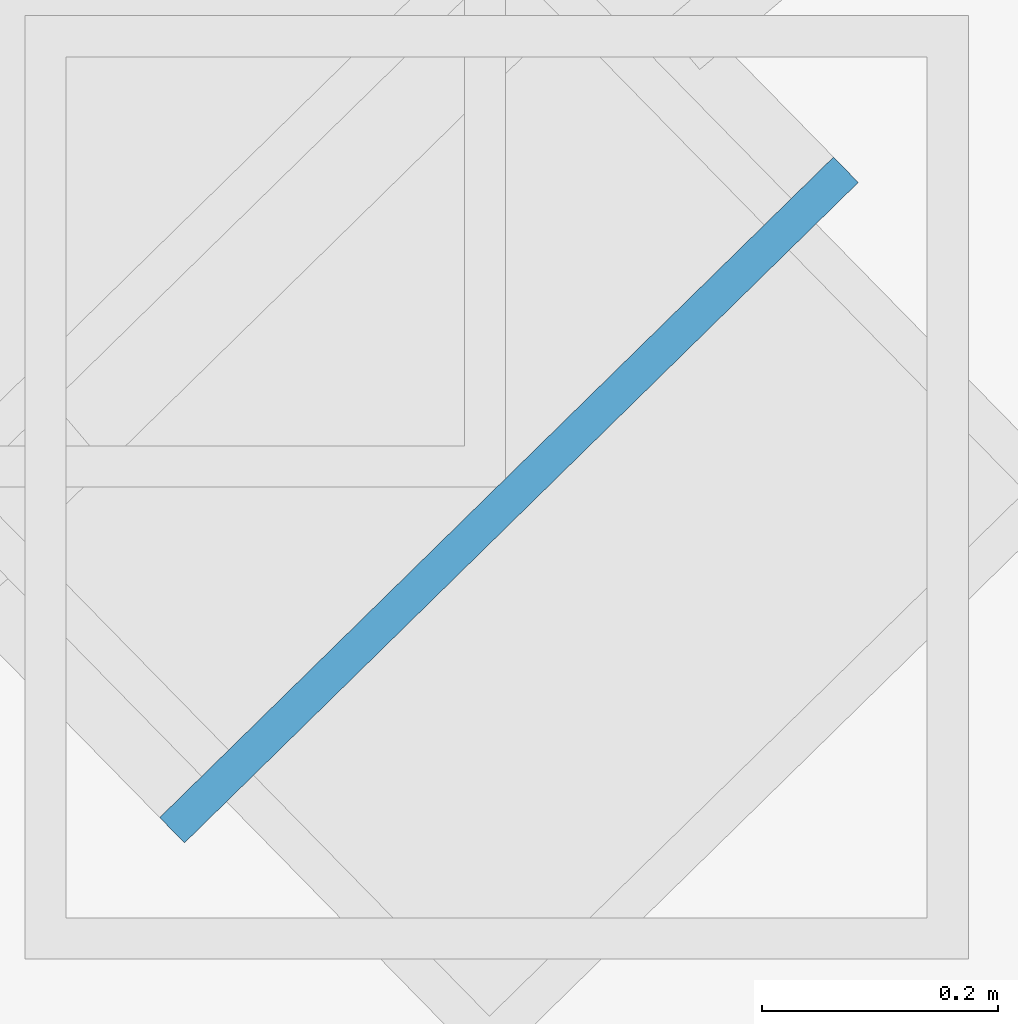
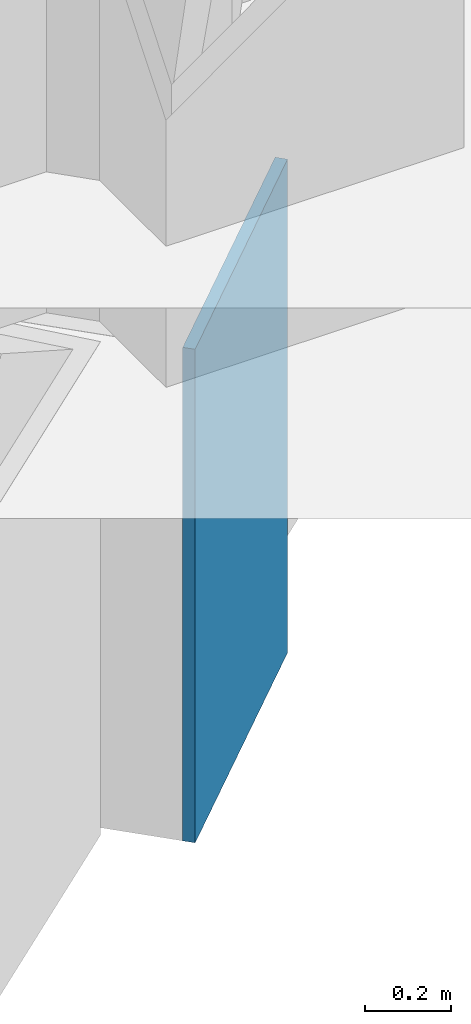
# One storey, part 14 of 25: 1 discrete accessory.
"""IFC4 building model written with IfcOpenShell, lengths in metres."""

from ifc_helpers import new_model, si_unit, direction, frame, origin, origin_2d, place, context, subcontext, project, spatial, rectangle, extrude, material, type_object, element, save


model = new_model("IFC4")

# Units and contexts
model_context = context("Model", 3, precision=1e-05, world=origin(), true_north=direction((0.0, 1.0)))
body_context = subcontext(model_context, "Body", "Model", "MODEL_VIEW")
ifc_project = project(units=[si_unit("LENGTHUNIT", "METRE"), si_unit("AREAUNIT", "SQUARE_METRE"), si_unit("VOLUMEUNIT", "CUBIC_METRE"), si_unit("PLANEANGLEUNIT", "RADIAN"), si_unit("MASSUNIT", "GRAM", prefix="KILO")], contexts=[model_context])

# Site, building, storey
site_placement = place(None, origin())
site = spatial("IfcSite", under=ifc_project, at=site_placement, CompositionType="ELEMENT")
building_placement = place(site_placement, origin())
building = spatial("IfcBuilding", under=site, at=building_placement, Name="Tuul Gate Civic Tower", CompositionType="ELEMENT")
storey_placement = place(building_placement, frame((0.0, 0.0, 60.89990234375)))
storey = spatial("IfcBuildingStorey", under=building, at=storey_placement, Name="Plant and refuge floor 2", CompositionType="ELEMENT", Elevation=60.89990234375)

# Discrete accessory
ifc_material = material(Name="Steel S355", Category="steel")
discrete_accessory_type = type_object("IfcDiscreteAccessoryType", Name="End cap plate", PredefinedType="BRACKET", material=ifc_material)
discrete_accessory_placement = place(storey_placement, frame((56.382568359375, -12.227783203125, -1.7998046875), z_axis=(0.0, 0.0, 1.0), x_axis=(-0.700000236809, 0.714142610735, 0.0)))
element("IfcDiscreteAccessory", 1, at=discrete_accessory_placement, inside=storey, type_object=discrete_accessory_type, Name="End cap plate", PredefinedType="BRACKET", context=body_context, shape_type="SweptSolid", body=[
    extrude(rectangle(XDim=0.030029296875, YDim=0.800048828125, at=origin_2d()), origin(), (0.0, 0.0, 1.0), 1.39990234375),
])

save(model, "model.ifc")
